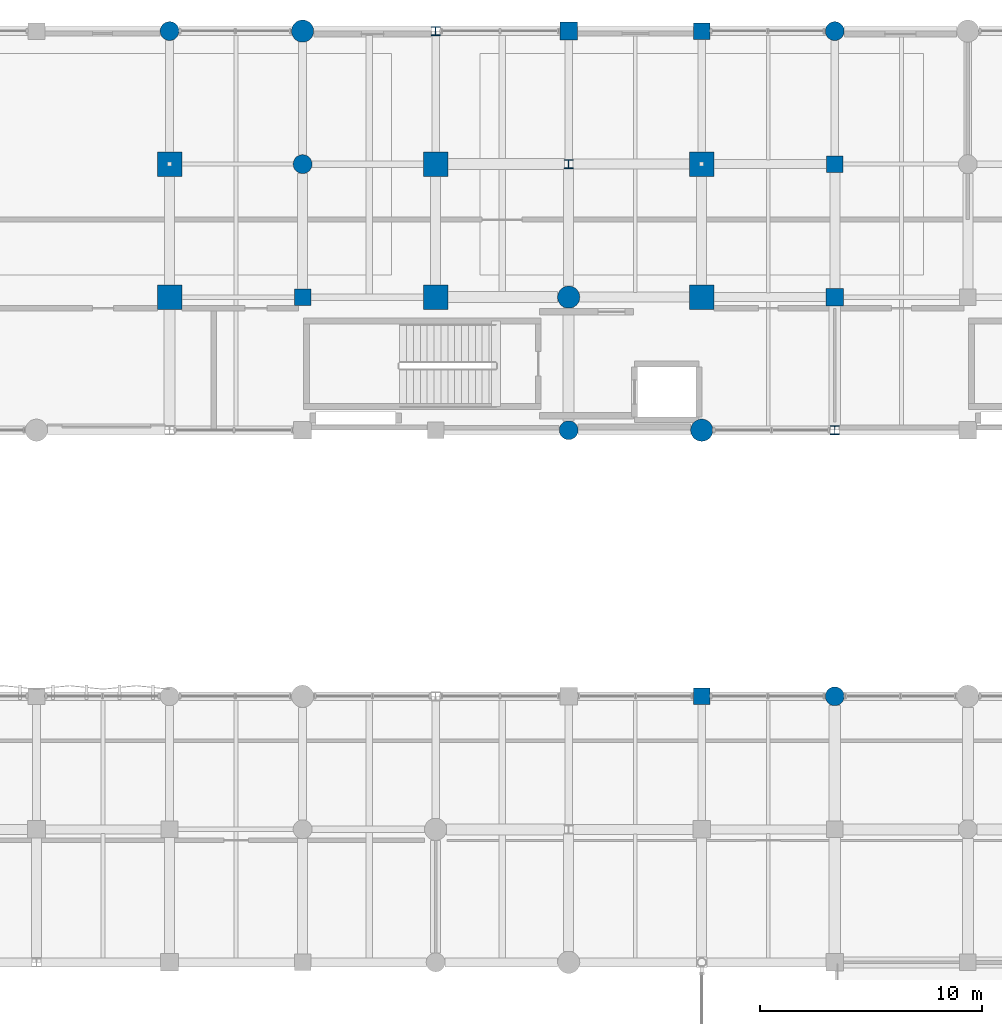
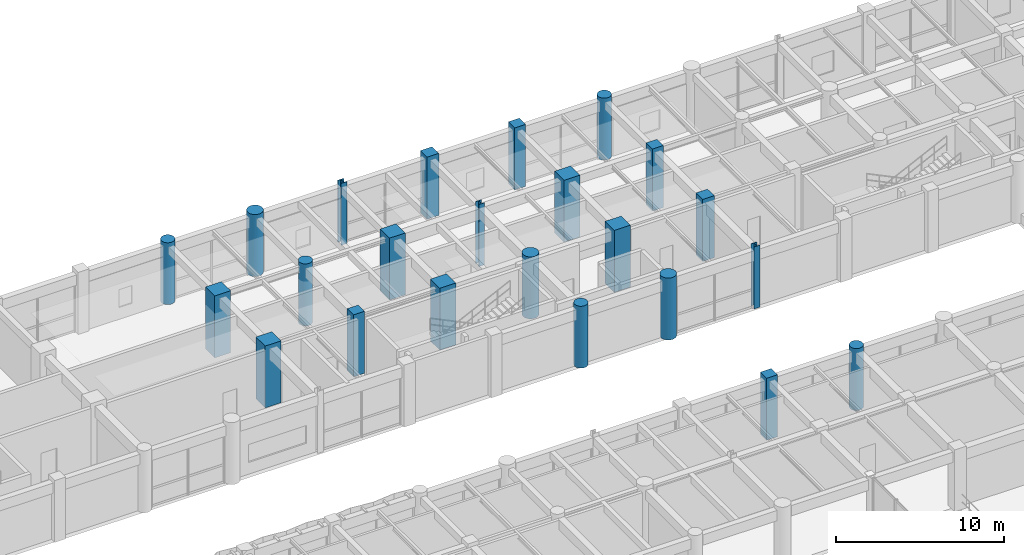
# One storey, part 13 of 133: 23 columns.
"""IFC4 building model written with IfcOpenShell, lengths in metres."""

from ifc_helpers import new_model, si_unit, direction, frame, origin, origin_2d, place, context, subcontext, project, spatial, rectangle, circle, i_section, extrude, material, material_profile, profile_set, type_object, element, save


model = new_model("IFC4")

# Units and contexts
model_context = context("Model", 3, precision=1e-05, world=origin(), true_north=direction((0.0, 1.0)))
body_context = subcontext(model_context, "Body", "Model", "MODEL_VIEW")
ifc_project = project(units=[si_unit("LENGTHUNIT", "METRE"), si_unit("AREAUNIT", "SQUARE_METRE"), si_unit("VOLUMEUNIT", "CUBIC_METRE"), si_unit("PLANEANGLEUNIT", "RADIAN"), si_unit("MASSUNIT", "GRAM", prefix="KILO"), si_unit("THERMODYNAMICTEMPERATUREUNIT", "KELVIN"), si_unit("POWERUNIT", "WATT")], contexts=[model_context])

# Site, building, storey
site_placement = place(None, origin())
site = spatial("IfcSite", under=ifc_project, at=site_placement, CompositionType="ELEMENT")
building_placement = place(site_placement, origin())
building = spatial("IfcBuilding", under=site, at=building_placement, Name="Phaisarnlok Congress Hotel", CompositionType="ELEMENT")
storey_placement = place(building_placement, frame((0.0, 0.0, 6.0)))
storey = spatial("IfcBuildingStorey", under=building, at=storey_placement, Name="L01", CompositionType="ELEMENT", Elevation=6.0)

# Columns
ifc_material_1 = material(Name="Concrete C50/60", Category="concrete")
ifc_material_profile_1 = material_profile(ifc_material_1, rectangle(XDim=1.10009765625, YDim=1.10009765625, at=origin_2d()), Name="RC 1100x1100")
ifc_profile_set_1 = profile_set([ifc_material_profile_1], Name="Concrete C50/60")
column_type_1 = type_object("IfcColumnType", Name="COL-RC-1100", PredefinedType="COLUMN", material=ifc_profile_set_1)
for number, where, z_axis, x_axis, name in (
    (1, (96.0, 114.0, 0.0), (0.0, 0.0, 1.0), (1.0, 0.0, 0.0), "Column C-10 (L01)"),
    (2, (96.0, 120.0, 0.0), (0.0, 0.0, 1.0), (1.0, 0.0, 0.0), "Column C-10 (L01)"),
    (3, (108.0, 114.0, 0.0), (0.0, 0.0, 1.0), (1.0, 0.0, 0.0), "Column C-10 (L01)"),
    (4, (108.0, 120.0, 0.0), (0.0, 0.0, 1.0), (1.0, 0.0, 0.0), "Column C-10 (L01)"),
    (5, (120.0, 114.0, 0.0), (0.0, 0.0, 1.0), (1.0, 0.0, 0.0), "Column C-10 (L01)"),
    (6, (120.0, 120.0, 0.0), (0.0, 0.0, 1.0), (1.0, 0.0, 0.0), "Column C-10 (L01)"),
):
    element("IfcColumn", number, at=place(storey_placement, frame(where, z_axis=z_axis, x_axis=x_axis)), inside=storey, type_object=column_type_1, Name=name, PredefinedType="COLUMN", context=body_context, shape_type="SweptSolid", body=[
        extrude(rectangle(XDim=1.10009765625, YDim=1.10009765625, at=origin_2d()), origin(), (0.0, 0.0, 1.0), 4.5),
    ])
ifc_material_profile_2 = material_profile(ifc_material_1, rectangle(XDim=0.75, YDim=0.75, at=origin_2d()), Name="RC 750x750")
ifc_profile_set_2 = profile_set([ifc_material_profile_2], Name="Concrete C50/60")
column_type_2 = type_object("IfcColumnType", Name="COL-RC-750", PredefinedType="COLUMN", material=ifc_profile_set_2)
for number, where, z_axis, x_axis, name in (
    (7, (102.0, 114.0, 0.0), (0.0, 0.0, 1.0), (1.0, 0.0, 0.0), "Column C-06 (L01)"),
    (8, (120.0, 96.0, 0.0), (0.0, 0.0, 1.0), (1.0, 0.0, 0.0), "Column C-06 (L01)"),
    (9, (126.0, 120.0, 0.0), (0.0, 0.0, 1.0), (1.0, 0.0, 0.0), "Column C-06 (L01)"),
):
    element("IfcColumn", number, at=place(storey_placement, frame(where, z_axis=z_axis, x_axis=x_axis)), inside=storey, type_object=column_type_2, Name=name, PredefinedType="COLUMN", context=body_context, shape_type="SweptSolid", body=[
        extrude(rectangle(XDim=0.75, YDim=0.75, at=origin_2d()), origin(), (0.0, 0.0, 1.0), 4.5),
    ])
ifc_material_profile_3 = material_profile(ifc_material_1, rectangle(XDim=0.75, YDim=0.75, at=origin_2d()), Name="RC 750x750")
ifc_profile_set_3 = profile_set([ifc_material_profile_3], Name="Concrete C50/60")
column_type_3 = type_object("IfcColumnType", Name="COL-RC-750-EXT", PredefinedType="COLUMN", material=ifc_profile_set_3)
column_1_placement = place(storey_placement, frame((120.0, 126.0, 0.0), z_axis=(0.0, 0.0, 1.0), x_axis=(1.0, 0.0, 0.0)))
element("IfcColumn", 10, at=column_1_placement, inside=storey, type_object=column_type_3, Name="Column C-06E (L01)", PredefinedType="COLUMN", context=body_context, shape_type="SweptSolid", body=[
    extrude(rectangle(XDim=0.75, YDim=0.75, at=origin_2d()), origin(), (0.0, 0.0, 1.0), 4.5),
])
ifc_material_profile_4 = material_profile(ifc_material_1, rectangle(XDim=0.800048828125, YDim=0.800048828125, at=origin_2d()), Name="RC 800x800")
ifc_profile_set_4 = profile_set([ifc_material_profile_4], Name="Concrete C50/60")
column_type_4 = type_object("IfcColumnType", Name="COL-RC-800", PredefinedType="COLUMN", material=ifc_profile_set_4)
column_2_placement = place(storey_placement, frame((126.0, 114.0, 0.0), z_axis=(0.0, 0.0, 1.0), x_axis=(1.0, 0.0, 0.0)))
element("IfcColumn", 11, at=column_2_placement, inside=storey, type_object=column_type_4, Name="Column C-07 (L01)", PredefinedType="COLUMN", context=body_context, shape_type="SweptSolid", body=[
    extrude(rectangle(XDim=0.800048828125, YDim=0.800048828125, at=origin_2d()), origin(), (0.0, 0.0, 1.0), 4.5),
])
ifc_material_profile_5 = material_profile(ifc_material_1, rectangle(XDim=0.800048828125, YDim=0.800048828125, at=origin_2d()), Name="RC 800x800")
ifc_profile_set_5 = profile_set([ifc_material_profile_5], Name="Concrete C50/60")
column_type_5 = type_object("IfcColumnType", Name="COL-RC-800-EXT", PredefinedType="COLUMN", material=ifc_profile_set_5)
column_3_placement = place(storey_placement, frame((114.0, 126.0, 0.0), z_axis=(0.0, 0.0, 1.0), x_axis=(1.0, 0.0, 0.0)))
element("IfcColumn", 12, at=column_3_placement, inside=storey, type_object=column_type_5, Name="Column C-07E (L01)", PredefinedType="COLUMN", context=body_context, shape_type="SweptSolid", body=[
    extrude(rectangle(XDim=0.800048828125, YDim=0.800048828125, at=origin_2d()), origin(), (0.0, 0.0, 1.0), 4.5),
])
ifc_material_profile_6 = material_profile(ifc_material_1, circle(Radius=0.5, at=origin_2d()), Name="RCC D1000")
ifc_profile_set_6 = profile_set([ifc_material_profile_6], Name="Concrete C50/60")
column_type_6 = type_object("IfcColumnType", Name="COL-RCC-1000", PredefinedType="COLUMN", material=ifc_profile_set_6)
for number, where, z_axis, x_axis, name in (
    (13, (114.0, 114.0, 0.0), (0.0, 0.0, 1.0), (1.0, 0.0, 0.0), "Column C-15 (L01)"),
    (14, (120.0, 108.0, 0.0), (0.0, 0.0, 1.0), (1.0, 0.0, 0.0), "Column C-15 (L01)"),
):
    element("IfcColumn", number, at=place(storey_placement, frame(where, z_axis=z_axis, x_axis=x_axis)), inside=storey, type_object=column_type_6, Name=name, PredefinedType="COLUMN", context=body_context, shape_type="SweptSolid", body=[
        extrude(circle(Radius=0.5, at=origin_2d()), origin(), (0.0, 0.0, 1.0), 4.5),
    ])
ifc_material_profile_7 = material_profile(ifc_material_1, circle(Radius=0.5, at=origin_2d()), Name="RCC D1000")
ifc_profile_set_7 = profile_set([ifc_material_profile_7], Name="Concrete C50/60")
column_type_7 = type_object("IfcColumnType", Name="COL-RCC-1000-EXT", PredefinedType="COLUMN", material=ifc_profile_set_7)
column_4_placement = place(storey_placement, frame((102.0, 126.0, 0.0), z_axis=(0.0, 0.0, 1.0), x_axis=(1.0, 0.0, 0.0)))
element("IfcColumn", 15, at=column_4_placement, inside=storey, type_object=column_type_7, Name="Column C-15E (L01)", PredefinedType="COLUMN", context=body_context, shape_type="SweptSolid", body=[
    extrude(circle(Radius=0.5, at=origin_2d()), origin(), (0.0, 0.0, 1.0), 4.5),
])
ifc_material_profile_8 = material_profile(ifc_material_1, circle(Radius=0.425048828125, at=origin_2d()), Name="RCC D850")
ifc_profile_set_8 = profile_set([ifc_material_profile_8], Name="Concrete C50/60")
column_type_8 = type_object("IfcColumnType", Name="COL-RCC-850", PredefinedType="COLUMN", material=ifc_profile_set_8)
for number, where, z_axis, x_axis, name in (
    (16, (102.0, 120.0, 0.0), (0.0, 0.0, 1.0), (1.0, 0.0, 0.0), "Column C-14 (L01)"),
    (17, (114.0, 108.0, 0.0), (0.0, 0.0, 1.0), (1.0, 0.0, 0.0), "Column C-14 (L01)"),
    (18, (126.0, 96.0, 0.0), (0.0, 0.0, 1.0), (1.0, 0.0, 0.0), "Column C-14 (L01)"),
):
    element("IfcColumn", number, at=place(storey_placement, frame(where, z_axis=z_axis, x_axis=x_axis)), inside=storey, type_object=column_type_8, Name=name, PredefinedType="COLUMN", context=body_context, shape_type="SweptSolid", body=[
        extrude(circle(Radius=0.425048828125, at=origin_2d()), origin(), (0.0, 0.0, 1.0), 4.5),
    ])
ifc_material_profile_9 = material_profile(ifc_material_1, circle(Radius=0.425048828125, at=origin_2d()), Name="RCC D850")
ifc_profile_set_9 = profile_set([ifc_material_profile_9], Name="Concrete C50/60")
column_type_9 = type_object("IfcColumnType", Name="COL-RCC-850-EXT", PredefinedType="COLUMN", material=ifc_profile_set_9)
for number, where, z_axis, x_axis, name in (
    (19, (96.0, 126.0, 0.0), (0.0, 0.0, 1.0), (1.0, 0.0, 0.0), "Column C-14E (L01)"),
    (20, (126.0, 126.0, 0.0), (0.0, 0.0, 1.0), (1.0, 0.0, 0.0), "Column C-14E (L01)"),
):
    element("IfcColumn", number, at=place(storey_placement, frame(where, z_axis=z_axis, x_axis=x_axis)), inside=storey, type_object=column_type_9, Name=name, PredefinedType="COLUMN", context=body_context, shape_type="SweptSolid", body=[
        extrude(circle(Radius=0.425048828125, at=origin_2d()), origin(), (0.0, 0.0, 1.0), 4.5),
    ])
ifc_material_2 = material(Name="Steel S355", Category="steel")
ifc_material_profile_10 = material_profile(ifc_material_2, i_section(OverallWidth=0.40087890625, OverallDepth=0.39892578125, WebThickness=0.0185546875, FlangeThickness=0.030029296875, FilletRadius=0.014892578125, at=origin_2d()), Name="HD 400x314")
ifc_profile_set_10 = profile_set([ifc_material_profile_10], Name="Steel S355")
column_type_10 = type_object("IfcColumnType", Name="COL-STL-HD314", PredefinedType="COLUMN", material=ifc_profile_set_10)
for number, where, z_axis, x_axis, name in (
    (21, (114.0, 120.0, 0.0), (0.0, 0.0, 1.0), (1.0, 0.0, 0.0), "Column SC-04 (L01)"),
    (22, (126.0, 108.0, 0.0), (0.0, 0.0, 1.0), (1.0, 0.0, 0.0), "Column SC-04 (L01)"),
):
    element("IfcColumn", number, at=place(storey_placement, frame(where, z_axis=z_axis, x_axis=x_axis)), inside=storey, type_object=column_type_10, Name=name, PredefinedType="COLUMN", context=body_context, shape_type="SweptSolid", body=[
        extrude(i_section(OverallWidth=0.40087890625, OverallDepth=0.39892578125, WebThickness=0.0185546875, FlangeThickness=0.030029296875, FilletRadius=0.014892578125, at=origin_2d()), origin(), (0.0, 0.0, 1.0), 4.5),
    ])
ifc_material_profile_11 = material_profile(ifc_material_2, i_section(OverallWidth=0.40087890625, OverallDepth=0.39892578125, WebThickness=0.0185546875, FlangeThickness=0.030029296875, FilletRadius=0.014892578125, at=origin_2d()), Name="HD 400x314")
ifc_profile_set_11 = profile_set([ifc_material_profile_11], Name="Steel S355")
column_type_11 = type_object("IfcColumnType", Name="COL-STL-HD314-EXT", PredefinedType="COLUMN", material=ifc_profile_set_11)
column_5_placement = place(storey_placement, frame((108.0, 126.0, 0.0), z_axis=(0.0, 0.0, 1.0), x_axis=(1.0, 0.0, 0.0)))
element("IfcColumn", 23, at=column_5_placement, inside=storey, type_object=column_type_11, Name="Column SC-04E (L01)", PredefinedType="COLUMN", context=body_context, shape_type="SweptSolid", body=[
    extrude(i_section(OverallWidth=0.40087890625, OverallDepth=0.39892578125, WebThickness=0.0185546875, FlangeThickness=0.030029296875, FilletRadius=0.014892578125, at=origin_2d()), origin(), (0.0, 0.0, 1.0), 4.5),
])

save(model, "model.ifc")
